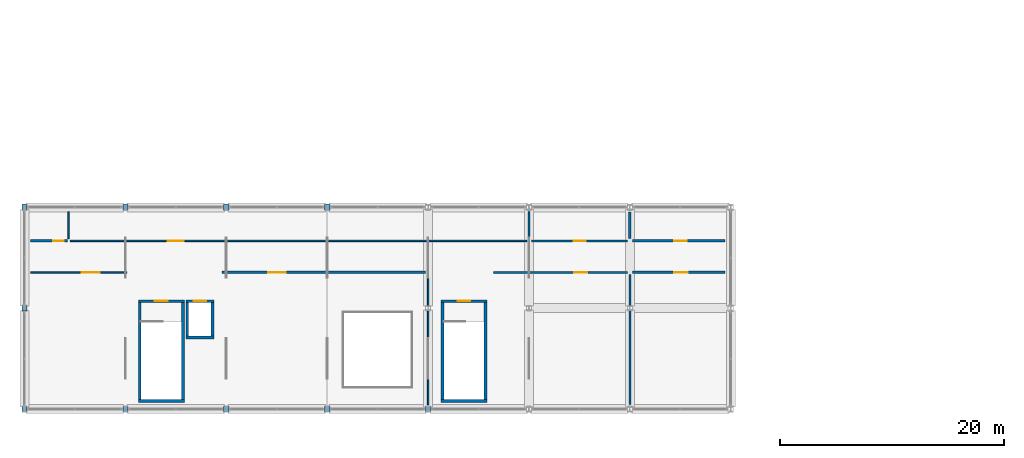
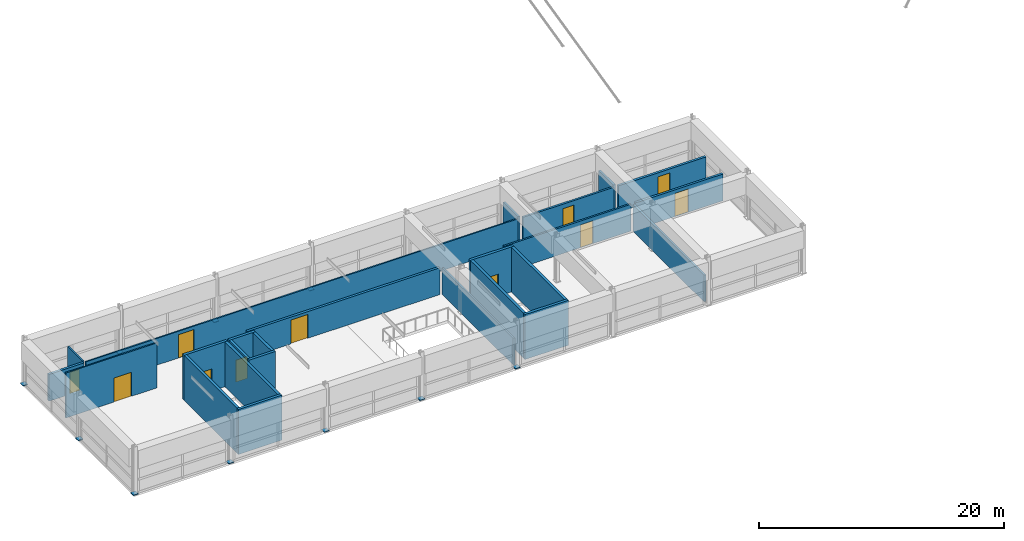
# One storey, part 55 of 56: 25 walls, 11 doors, 10 discrete accessories, 11 openings.
"""IFC4 building model written with IfcOpenShell, lengths in metres."""

from ifc_helpers import new_model, si_unit, direction, frame, frame_2d, origin, origin_2d, place, context, subcontext, project, spatial, rectangle, extrude, material, layer, layer_set, type_object, element, fill, save


model = new_model("IFC4")

# Units and contexts
model_context = context("Model", 3, precision=1e-05, world=origin(), true_north=direction((0.0, 1.0)))
body_context = subcontext(model_context, "Body", "Model", "MODEL_VIEW")
ifc_project = project(units=[si_unit("LENGTHUNIT", "METRE"), si_unit("AREAUNIT", "SQUARE_METRE"), si_unit("VOLUMEUNIT", "CUBIC_METRE"), si_unit("PLANEANGLEUNIT", "RADIAN"), si_unit("MASSUNIT", "GRAM", prefix="KILO")], contexts=[model_context])

# Site, building, storey
site_placement = place(None, origin())
site = spatial("IfcSite", under=ifc_project, at=site_placement, CompositionType="ELEMENT")
building_placement = place(site_placement, origin())
building = spatial("IfcBuilding", under=site, at=building_placement, Name="Bozkorgan Art Gallery", CompositionType="ELEMENT")
storey_placement = place(building_placement, frame((0.0, 0.0, 24.0)))
storey = spatial("IfcBuildingStorey", under=building, at=storey_placement, Name="L05", CompositionType="ELEMENT", Elevation=24.0)

# Wall, opening, door
ifc_material_1 = material(Name="Concrete C40/50", Category="concrete")
ifc_layer_1 = layer(ifc_material_1, 0.25, Name="Concrete C40/50")
ifc_layer_set_1 = layer_set([ifc_layer_1], Name="Concrete C40/50")
wall_type_1 = type_object("IfcWallType", Name="IWALL-CW-51", PredefinedType="SHEAR", material=ifc_layer_set_1)
wall_1_placement = place(storey_placement, frame((12.14990234375, 11.625, 0.0), z_axis=(0.0, 0.0, 1.0), x_axis=(1.0, 0.0, 0.0)))
wall_1 = element("IfcWall", 1, at=wall_1_placement, inside=storey, type_object=wall_type_1, Name="CORE1 L05 stair core north shear wall", PredefinedType="SHEAR", context=body_context, shape_type="SweptSolid", body=[
    extrude(rectangle(XDim=4.10009765625, YDim=0.25, at=frame_2d((2.050048828125, 0.0))), origin(), (0.0, 0.0, 1.0), 4.47998046875),
])
opening_1_placement = place(wall_1_placement, frame((2.625, 0.0, 0.0), z_axis=(0.0, 0.0, 1.0), x_axis=(-1.0, 0.0, 0.0)))
opening_1 = element("IfcOpeningElement", 2, at=opening_1_placement, cuts=wall_1, Name="Opening SD-41", PredefinedType="OPENING", context=body_context, shape_type="SweptSolid", body=[
    extrude(rectangle(XDim=1.14990234375, YDim=2.199951171875, at=frame_2d((0.574951171875, 1.10009765625))), frame((0.0, 0.135009765625, 0.0), z_axis=(0.0, -1.0, 0.0), x_axis=(1.0, 0.0, 0.0)), (0.0, 0.0, 1.0), 0.27001953125),
])
ifc_material_2 = material(Name="Steel S355J2", Category="steel")
door_type_1 = type_object("IfcDoorType", Name="IDOOR-SD-41", OperationType="NOTDEFINED", PredefinedType="DOOR", material=ifc_material_2)
door_1_placement = place(opening_1_placement, origin())
door_1 = element("IfcDoor", 3, at=door_1_placement, inside=storey, type_object=door_type_1, Name="ST1 L05 Fire Stair Door", OperationType="SINGLE_SWING_RIGHT", OverallHeight=2.199951171875, OverallWidth=1.14990234375, PredefinedType="DOOR", context=body_context, shape_type="SweptSolid", body=[
    extrude(rectangle(XDim=1.14990234375, YDim=2.199951171875, at=frame_2d((0.574951171875, 1.10009765625))), frame((0.0, 0.02490234375, 0.0), z_axis=(0.0, -1.0, 0.0), x_axis=(1.0, 0.0, 0.0)), (0.0, 0.0, 1.0), 0.050048828125),
])
fill(opening_1, door_1)

# Walls
wall_2_placement = place(storey_placement, frame((12.14990234375, 2.72509765625, 0.0), z_axis=(0.0, 0.0, 1.0), x_axis=(1.0, 0.0, 0.0)))
element("IfcWall", 4, at=wall_2_placement, inside=storey, type_object=wall_type_1, Name="CORE1 L05 stair core S shear wall", PredefinedType="SHEAR", context=body_context, shape_type="SweptSolid", body=[
    extrude(rectangle(XDim=4.10009765625, YDim=0.25, at=frame_2d((2.050048828125, 0.0))), origin(), (0.0, 0.0, 1.0), 4.47998046875),
])
for number, where, z_axis, x_axis, name in (
    (5, (12.27490234375, 2.85009765625, 0.0), (0.0, 0.0, 1.0), (0.0, 1.0, 0.0), "CORE1 L05 stair core W shear wall"),
    (6, (16.125, 2.85009765625, 0.0), (0.0, 0.0, 1.0), (0.0, 1.0, 0.0), "CORE1 L05 stair core E shear wall"),
):
    element("IfcWall", number, at=place(storey_placement, frame(where, z_axis=z_axis, x_axis=x_axis)), inside=storey, type_object=wall_type_1, Name=name, PredefinedType="SHEAR", context=body_context, shape_type="SweptSolid", body=[
        extrude(rectangle(XDim=8.64990234375, YDim=0.25, at=frame_2d((4.324951171875, 0.0))), origin(), (0.0, 0.0, 1.0), 4.47998046875),
    ])

# Wall, opening, door
wall_3_placement = place(storey_placement, frame((16.39990234375, 11.625, 0.0), z_axis=(0.0, 0.0, 1.0), x_axis=(1.0, 0.0, 0.0)))
wall_3 = element("IfcWall", 7, at=wall_3_placement, inside=storey, type_object=wall_type_1, Name="PL1 L05 shaft front shear wall", PredefinedType="SHEAR", context=body_context, shape_type="SweptSolid", body=[
    extrude(rectangle(XDim=2.5, YDim=0.25, at=frame_2d((1.25, 0.0))), origin(), (0.0, 0.0, 1.0), 4.47998046875),
])
opening_2_placement = place(wall_3_placement, frame((0.699951171875, 0.0, 0.0)))
opening_2 = element("IfcOpeningElement", 8, at=opening_2_placement, cuts=wall_3, Name="Opening LD-25", PredefinedType="OPENING", context=body_context, shape_type="SweptSolid", body=[
    extrude(rectangle(XDim=1.10009765625, YDim=2.199951171875, at=frame_2d((0.550048828125, 1.10009765625))), frame((0.0, 0.135009765625, 0.0), z_axis=(0.0, -1.0, 0.0), x_axis=(1.0, 0.0, 0.0)), (0.0, 0.0, 1.0), 0.27001953125),
])
door_type_2 = type_object("IfcDoorType", Name="IDOOR-LD-25", OperationType="NOTDEFINED", PredefinedType="DOOR", material=ifc_material_2)
door_2_placement = place(opening_2_placement, origin())
door_2 = element("IfcDoor", 9, at=door_2_placement, inside=storey, type_object=door_type_2, Name="LD-PL1-L05 Lift Landing Door", OperationType="SLIDING_TO_LEFT", OverallHeight=2.199951171875, OverallWidth=1.10009765625, PredefinedType="DOOR", context=body_context, shape_type="SweptSolid", body=[
    extrude(rectangle(XDim=1.10009765625, YDim=2.199951171875, at=frame_2d((0.550048828125, 1.10009765625))), frame((0.0, 0.02490234375, 0.0), z_axis=(0.0, -1.0, 0.0), x_axis=(1.0, 0.0, 0.0)), (0.0, 0.0, 1.0), 0.050048828125),
])
fill(opening_2, door_2)

# Walls
wall_4_placement = place(storey_placement, frame((16.39990234375, 8.375, 0.0), z_axis=(0.0, 0.0, 1.0), x_axis=(1.0, 0.0, 0.0)))
element("IfcWall", 10, at=wall_4_placement, inside=storey, type_object=wall_type_1, Name="PL1 L05 shaft S shear wall", PredefinedType="SHEAR", context=body_context, shape_type="SweptSolid", body=[
    extrude(rectangle(XDim=2.5, YDim=0.25, at=frame_2d((1.25, 0.0))), origin(), (0.0, 0.0, 1.0), 4.47998046875),
])
for number, where, z_axis, x_axis, name in (
    (11, (18.77490234375, 8.5, 0.0), (0.0, 0.0, 1.0), (0.0, 1.0, 0.0), "PL1 L05 shaft E shear wall"),
    (12, (16.52490234375, 8.5, 0.0), (0.0, 0.0, 1.0), (0.0, 1.0, 0.0), "PL1 L05 shaft W shear wall"),
):
    element("IfcWall", number, at=place(storey_placement, frame(where, z_axis=z_axis, x_axis=x_axis)), inside=storey, type_object=wall_type_1, Name=name, PredefinedType="SHEAR", context=body_context, shape_type="SweptSolid", body=[
        extrude(rectangle(XDim=3.0, YDim=0.25, at=frame_2d((1.5, 0.0))), origin(), (0.0, 0.0, 1.0), 4.47998046875),
    ])

# Wall, opening, door
wall_5_placement = place(storey_placement, frame((39.14990234375, 11.625, 0.0), z_axis=(0.0, 0.0, 1.0), x_axis=(1.0, 0.0, 0.0)))
wall_5 = element("IfcWall", 13, at=wall_5_placement, inside=storey, type_object=wall_type_1, Name="CORE7 L05 stair core north shear wall", PredefinedType="SHEAR", context=body_context, shape_type="SweptSolid", body=[
    extrude(rectangle(XDim=4.10009765625, YDim=0.25, at=frame_2d((2.050048828125, 0.0))), origin(), (0.0, 0.0, 1.0), 4.47998046875),
])
opening_3_placement = place(wall_5_placement, frame((2.625, 0.0, 0.0), z_axis=(0.0, 0.0, 1.0), x_axis=(-1.0, 0.0, 0.0)))
opening_3 = element("IfcOpeningElement", 14, at=opening_3_placement, cuts=wall_5, Name="Opening SD-41", PredefinedType="OPENING", context=body_context, shape_type="SweptSolid", body=[
    extrude(rectangle(XDim=1.14990234375, YDim=2.199951171875, at=frame_2d((0.574951171875, 1.10009765625))), frame((0.0, 0.135009765625, 0.0), z_axis=(0.0, -1.0, 0.0), x_axis=(1.0, 0.0, 0.0)), (0.0, 0.0, 1.0), 0.27001953125),
])
door_3_placement = place(opening_3_placement, origin())
door_3 = element("IfcDoor", 15, at=door_3_placement, inside=storey, type_object=door_type_1, Name="ST12 L05 Fire Stair Door", OperationType="SINGLE_SWING_RIGHT", OverallHeight=2.199951171875, OverallWidth=1.14990234375, PredefinedType="DOOR", context=body_context, shape_type="SweptSolid", body=[
    extrude(rectangle(XDim=1.14990234375, YDim=2.199951171875, at=frame_2d((0.574951171875, 1.10009765625))), frame((0.0, 0.02490234375, 0.0), z_axis=(0.0, -1.0, 0.0), x_axis=(1.0, 0.0, 0.0)), (0.0, 0.0, 1.0), 0.050048828125),
])
fill(opening_3, door_3)

# Walls
wall_6_placement = place(storey_placement, frame((39.14990234375, 2.72509765625, 0.0), z_axis=(0.0, 0.0, 1.0), x_axis=(1.0, 0.0, 0.0)))
element("IfcWall", 16, at=wall_6_placement, inside=storey, type_object=wall_type_1, Name="CORE7 L05 stair core S shear wall", PredefinedType="SHEAR", context=body_context, shape_type="SweptSolid", body=[
    extrude(rectangle(XDim=4.10009765625, YDim=0.25, at=frame_2d((2.050048828125, 0.0))), origin(), (0.0, 0.0, 1.0), 4.47998046875),
])
for number, where, z_axis, x_axis, name in (
    (17, (39.27490234375, 2.85009765625, 0.0), (0.0, 0.0, 1.0), (0.0, 1.0, 0.0), "CORE7 L05 stair core W shear wall"),
    (18, (43.125, 2.85009765625, 0.0), (0.0, 0.0, 1.0), (0.0, 1.0, 0.0), "CORE7 L05 stair core E shear wall"),
):
    element("IfcWall", number, at=place(storey_placement, frame(where, z_axis=z_axis, x_axis=x_axis)), inside=storey, type_object=wall_type_1, Name=name, PredefinedType="SHEAR", context=body_context, shape_type="SweptSolid", body=[
        extrude(rectangle(XDim=8.64990234375, YDim=0.25, at=frame_2d((4.324951171875, 0.0))), origin(), (0.0, 0.0, 1.0), 4.47998046875),
    ])

# Wall, opening, door
ifc_material_3 = material(Name="Acoustic Gypsum & Mineral Wool Partition")
ifc_layer_2 = layer(ifc_material_3, 0.22998046875, Name="Acoustic Gypsum & Mineral Wool Partition")
ifc_layer_set_2 = layer_set([ifc_layer_2], Name="Acoustic Gypsum & Mineral Wool Partition")
wall_type_2 = type_object("IfcWallType", Name="IWALL-PR-08", PredefinedType="PARTITIONING", material=ifc_layer_set_2)
wall_7_placement = place(storey_placement, frame((19.6201171875, 14.199951171875, 0.0), z_axis=(0.0, 0.0, 1.0), x_axis=(1.0, 0.0, 0.0)))
wall_7 = element("IfcWall", 19, at=wall_7_placement, inside=storey, type_object=wall_type_2, Name="V1 L05 acoustic partition wall 113", PredefinedType="PARTITIONING", context=body_context, shape_type="SweptSolid", body=[
    extrude(rectangle(XDim=18.159912109375, YDim=0.22998046875, at=frame_2d((9.080078125, 0.0))), origin(), (0.0, 0.0, 1.0), 2.6650390625),
])
opening_4_placement = place(wall_7_placement, frame((4.1142578125, 0.0, 0.0)))
opening_4 = element("IfcOpeningElement", 20, at=opening_4_placement, cuts=wall_7, Name="Opening GD-25", PredefinedType="OPENING", context=body_context, shape_type="SweptSolid", body=[
    extrude(rectangle(XDim=1.580078125, YDim=2.3798828125, at=frame_2d((0.7900390625, 1.18994140625))), frame((0.0, 0.125, 0.0), z_axis=(0.0, -1.0, 0.0), x_axis=(1.0, 0.0, 0.0)), (0.0, 0.0, 1.0), 0.25),
])
ifc_material_4 = material(Name="Oiled European Oak Joinery")
door_type_3 = type_object("IfcDoorType", Name="IDOOR-GD-25", OperationType="NOTDEFINED", PredefinedType="DOOR", material=ifc_material_4)
door_4_placement = place(opening_4_placement, origin())
door_4 = element("IfcDoor", 21, at=door_4_placement, inside=storey, type_object=door_type_3, Name="Top-Lit Gallery Hall Door", OperationType="DOUBLE_DOOR_SINGLE_SWING", OverallHeight=2.3798828125, OverallWidth=1.580078125, PredefinedType="DOOR", context=body_context, shape_type="SweptSolid", body=[
    extrude(rectangle(XDim=1.580078125, YDim=2.3798828125, at=frame_2d((0.7900390625, 1.18994140625))), frame((0.0, 0.02490234375, 0.0), z_axis=(0.0, -1.0, 0.0), x_axis=(1.0, 0.0, 0.0)), (0.0, 0.0, 1.0), 0.050048828125),
])
fill(opening_4, door_4)

wall_8_placement = place(storey_placement, frame((2.5400390625, 17.0, 0.0), z_axis=(0.0, 0.0, 1.0), x_axis=(1.0, 0.0, 0.0)))
wall_8 = element("IfcWall", 22, at=wall_8_placement, inside=storey, type_object=wall_type_2, Name="V1 L05 acoustic partition wall 119", PredefinedType="PARTITIONING", context=body_context, shape_type="SweptSolid", body=[
    extrude(rectangle(XDim=3.280029296875, YDim=0.22998046875, at=frame_2d((1.64013671875, 0.0))), origin(), (0.0, 0.0, 1.0), 2.6650390625),
])
opening_5_placement = place(wall_8_placement, frame((2.949951171875, 0.0, 0.0), z_axis=(0.0, 0.0, 1.0), x_axis=(-1.0, 0.0, 0.0)))
opening_5 = element("IfcOpeningElement", 23, at=opening_5_placement, cuts=wall_8, Name="Opening FD-12", PredefinedType="OPENING", context=body_context, shape_type="SweptSolid", body=[
    extrude(rectangle(XDim=0.919921875, YDim=2.1201171875, at=frame_2d((0.4599609375, 1.06005859375))), frame((0.0, 0.125, 0.0), z_axis=(0.0, -1.0, 0.0), x_axis=(1.0, 0.0, 0.0)), (0.0, 0.0, 1.0), 0.25),
])
door_type_4 = type_object("IfcDoorType", Name="IDOOR-FD-12", OperationType="NOTDEFINED", PredefinedType="DOOR", material=ifc_material_4)
door_5_placement = place(opening_5_placement, origin())
door_5 = element("IfcDoor", 24, at=door_5_placement, inside=storey, type_object=door_type_4, Name="Accessible WC Door", OperationType="SINGLE_SWING_RIGHT", OverallHeight=2.1201171875, OverallWidth=0.919921875, PredefinedType="DOOR", context=body_context, shape_type="SweptSolid", body=[
    extrude(rectangle(XDim=0.919921875, YDim=2.1201171875, at=frame_2d((0.4599609375, 1.06005859375))), frame((0.0, 0.02490234375, 0.0), z_axis=(0.0, -1.0, 0.0), x_axis=(1.0, 0.0, 0.0)), (0.0, 0.0, 1.0), 0.050048828125),
])
fill(opening_5, door_5)

wall_9_placement = place(storey_placement, frame((56.219970703125, 17.0, 0.0), z_axis=(0.0, 0.0, 1.0), x_axis=(1.0, 0.0, 0.0)))
wall_9 = element("IfcWall", 25, at=wall_9_placement, inside=storey, type_object=wall_type_2, Name="V1 L05 acoustic partition wall 125", PredefinedType="PARTITIONING", context=body_context, shape_type="SweptSolid", body=[
    extrude(rectangle(XDim=8.239990234375, YDim=0.22998046875, at=frame_2d((4.1201171875, 0.0))), origin(), (0.0, 0.0, 1.0), 2.6650390625),
])
opening_6_placement = place(wall_9_placement, frame((4.8408203125, 0.0, 0.0), z_axis=(0.0, 0.0, 1.0), x_axis=(-1.0, 0.0, 0.0)))
opening_6 = element("IfcOpeningElement", 26, at=opening_6_placement, cuts=wall_9, Name="Opening FD-89", PredefinedType="OPENING", context=body_context, shape_type="SweptSolid", body=[
    extrude(rectangle(XDim=1.1201171875, YDim=2.260009765625, at=frame_2d((0.56005859375, 1.1298828125))), frame((0.0, 0.125, 0.0), z_axis=(0.0, -1.0, 0.0), x_axis=(1.0, 0.0, 0.0)), (0.0, 0.0, 1.0), 0.25),
])
door_type_5 = type_object("IfcDoorType", Name="IDOOR-FD-89", OperationType="NOTDEFINED", PredefinedType="DOOR", material=ifc_material_4)
door_6_placement = place(opening_6_placement, origin())
door_6 = element("IfcDoor", 27, at=door_6_placement, inside=storey, type_object=door_type_5, Name="Visitor Cloakroom Door", OperationType="SINGLE_SWING_LEFT", OverallHeight=2.260009765625, OverallWidth=1.1201171875, PredefinedType="DOOR", context=body_context, shape_type="SweptSolid", body=[
    extrude(rectangle(XDim=1.1201171875, YDim=2.260009765625, at=frame_2d((0.56005859375, 1.1298828125))), frame((0.0, 0.02490234375, 0.0), z_axis=(0.0, -1.0, 0.0), x_axis=(1.0, 0.0, 0.0)), (0.0, 0.0, 1.0), 0.050048828125),
])
fill(opening_6, door_6)

ifc_layer_3 = layer(ifc_material_3, 0.2099609375, Name="Acoustic Gypsum & Mineral Wool Partition")
ifc_layer_set_3 = layer_set([ifc_layer_3], Name="Acoustic Gypsum & Mineral Wool Partition")
wall_type_3 = type_object("IfcWallType", Name="IWALL-PR-38", PredefinedType="PARTITIONING", material=ifc_layer_set_3)
wall_10_placement = place(storey_placement, frame((56.219970703125, 14.199951171875, 0.0), z_axis=(0.0, 0.0, 1.0), x_axis=(1.0, 0.0, 0.0)))
wall_10 = element("IfcWall", 28, at=wall_10_placement, inside=storey, type_object=wall_type_3, Name="V1 L05 acoustic partition wall 118", PredefinedType="PARTITIONING", context=body_context, shape_type="SweptSolid", body=[
    extrude(rectangle(XDim=8.239990234375, YDim=0.2099609375, at=frame_2d((4.1201171875, 0.0))), origin(), (0.0, 0.0, 1.0), 2.6650390625),
])
opening_7_placement = place(wall_10_placement, frame((3.720703125, 0.0, 0.0)))
opening_7 = element("IfcOpeningElement", 29, at=opening_7_placement, cuts=wall_10, Name="Opening FD-40", PredefinedType="OPENING", context=body_context, shape_type="SweptSolid", body=[
    extrude(rectangle(XDim=1.239990234375, YDim=2.320068359375, at=frame_2d((0.6201171875, 1.16015625))), frame((0.0, 0.114990234375, 0.0), z_axis=(0.0, -1.0, 0.0), x_axis=(1.0, 0.0, 0.0)), (0.0, 0.0, 1.0), 0.22998046875),
])
door_type_6 = type_object("IfcDoorType", Name="IDOOR-FD-40", OperationType="NOTDEFINED", PredefinedType="DOOR", material=ifc_material_4)
door_7_placement = place(opening_7_placement, origin())
door_7 = element("IfcDoor", 30, at=door_7_placement, inside=storey, type_object=door_type_6, Name="Clerestory Louvre Control Room Door", OperationType="SINGLE_SWING_LEFT", OverallHeight=2.320068359375, OverallWidth=1.239990234375, PredefinedType="DOOR", context=body_context, shape_type="SweptSolid", body=[
    extrude(rectangle(XDim=1.239990234375, YDim=2.320068359375, at=frame_2d((0.6201171875, 1.16015625))), frame((0.0, 0.02490234375, 0.0), z_axis=(0.0, -1.0, 0.0), x_axis=(1.0, 0.0, 0.0)), (0.0, 0.0, 1.0), 0.050048828125),
])
fill(opening_7, door_7)

ifc_layer_4 = layer(ifc_material_3, 0.169921875, Name="Acoustic Gypsum & Mineral Wool Partition")
ifc_layer_set_4 = layer_set([ifc_layer_4], Name="Acoustic Gypsum & Mineral Wool Partition")
wall_type_4 = type_object("IfcWallType", Name="IWALL-PR-40", PredefinedType="PARTITIONING", material=ifc_layer_set_4)
wall_11_placement = place(storey_placement, frame((43.820068359375, 14.199951171875, 0.0), z_axis=(0.0, 0.0, 1.0), x_axis=(1.0, 0.0, 0.0)))
wall_11 = element("IfcWall", 31, at=wall_11_placement, inside=storey, type_object=wall_type_4, Name="V1 L05 acoustic partition wall 116", PredefinedType="PARTITIONING", context=body_context, shape_type="SweptSolid", body=[
    extrude(rectangle(XDim=11.9599609375, YDim=0.169921875, at=frame_2d((5.97998046875, 0.0))), origin(), (0.0, 0.0, 1.0), 2.6650390625),
])
opening_8_placement = place(wall_11_placement, frame((7.206787109375, 0.0, 0.0)))
opening_8 = element("IfcOpeningElement", 32, at=opening_8_placement, cuts=wall_11, Name="Opening FD-03", PredefinedType="OPENING", context=body_context, shape_type="SweptSolid", body=[
    extrude(rectangle(XDim=1.159912109375, YDim=2.280029296875, at=frame_2d((0.580078125, 1.14013671875))), frame((0.0, 0.094970703125, 0.0), z_axis=(0.0, -1.0, 0.0), x_axis=(1.0, 0.0, 0.0)), (0.0, 0.0, 1.0), 0.18994140625),
])
door_type_7 = type_object("IfcDoorType", Name="IDOOR-FD-03", OperationType="NOTDEFINED", PredefinedType="DOOR", material=ifc_material_4)
door_8_placement = place(opening_8_placement, origin())
door_8 = element("IfcDoor", 33, at=door_8_placement, inside=storey, type_object=door_type_7, Name="Grand Tapestry Salon Door", OperationType="SINGLE_SWING_RIGHT", OverallHeight=2.280029296875, OverallWidth=1.159912109375, PredefinedType="DOOR", context=body_context, shape_type="SweptSolid", body=[
    extrude(rectangle(XDim=1.159912109375, YDim=2.280029296875, at=frame_2d((0.580078125, 1.14013671875))), frame((0.0, 0.02490234375, 0.0), z_axis=(0.0, -1.0, 0.0), x_axis=(1.0, 0.0, 0.0)), (0.0, 0.0, 1.0), 0.050048828125),
])
fill(opening_8, door_8)

ifc_layer_5 = layer(ifc_material_3, 0.18994140625, Name="Acoustic Gypsum & Mineral Wool Partition")
ifc_layer_set_5 = layer_set([ifc_layer_5], Name="Acoustic Gypsum & Mineral Wool Partition")
wall_type_5 = type_object("IfcWallType", Name="IWALL-PR-66", PredefinedType="PARTITIONING", material=ifc_layer_set_5)
wall_12_placement = place(storey_placement, frame((47.219970703125, 17.0, 0.0), z_axis=(0.0, 0.0, 1.0), x_axis=(1.0, 0.0, 0.0)))
wall_12 = element("IfcWall", 34, at=wall_12_placement, inside=storey, type_object=wall_type_5, Name="V1 L05 acoustic partition wall 123", PredefinedType="PARTITIONING", context=body_context, shape_type="SweptSolid", body=[
    extrude(rectangle(XDim=8.56005859375, YDim=0.18994140625, at=frame_2d((4.280029296875, 0.0))), origin(), (0.0, 0.0, 1.0), 2.6650390625),
])
opening_9_placement = place(wall_12_placement, frame((4.820068359375, 0.0, 0.0), z_axis=(0.0, 0.0, 1.0), x_axis=(-1.0, 0.0, 0.0)))
opening_9 = element("IfcOpeningElement", 35, at=opening_9_placement, cuts=wall_12, Name="Opening FD-96", PredefinedType="OPENING", context=body_context, shape_type="SweptSolid", body=[
    extrude(rectangle(XDim=1.0400390625, YDim=2.219970703125, at=frame_2d((0.52001953125, 1.10986328125))), frame((0.0, 0.10498046875, 0.0), z_axis=(0.0, -1.0, 0.0), x_axis=(1.0, 0.0, 0.0)), (0.0, 0.0, 1.0), 0.2099609375),
])
door_type_8 = type_object("IfcDoorType", Name="IDOOR-FD-96", OperationType="NOTDEFINED", PredefinedType="DOOR", material=ifc_material_4)
door_9_placement = place(opening_9_placement, origin())
door_9 = element("IfcDoor", 36, at=door_9_placement, inside=storey, type_object=door_type_8, Name="Exhibition Catalogue Salon Door", OperationType="SINGLE_SWING_RIGHT", OverallHeight=2.219970703125, OverallWidth=1.0400390625, PredefinedType="DOOR", context=body_context, shape_type="SweptSolid", body=[
    extrude(rectangle(XDim=1.0400390625, YDim=2.219970703125, at=frame_2d((0.52001953125, 1.10986328125))), frame((0.0, 0.02490234375, 0.0), z_axis=(0.0, -1.0, 0.0), x_axis=(1.0, 0.0, 0.0)), (0.0, 0.0, 1.0), 0.050048828125),
])
fill(opening_9, door_9)

ifc_layer_6 = layer(ifc_material_3, 0.1298828125, Name="Acoustic Gypsum & Mineral Wool Partition")
ifc_layer_set_6 = layer_set([ifc_layer_6], Name="Acoustic Gypsum & Mineral Wool Partition")
wall_type_6 = type_object("IfcWallType", Name="IWALL-PR-76", PredefinedType="PARTITIONING", material=ifc_layer_set_6)
wall_13_placement = place(storey_placement, frame((2.5400390625, 14.199951171875, 0.0), z_axis=(0.0, 0.0, 1.0), x_axis=(1.0, 0.0, 0.0)))
wall_13 = element("IfcWall", 37, at=wall_13_placement, inside=storey, type_object=wall_type_6, Name="V1 L05 acoustic partition wall 114", PredefinedType="PARTITIONING", context=body_context, shape_type="SweptSolid", body=[
    extrude(rectangle(XDim=8.58984375, YDim=0.1298828125, at=frame_2d((4.294921875, 0.0))), origin(), (0.0, 0.0, 1.0), 4.47998046875),
])
opening_10_placement = place(wall_13_placement, frame((4.55908203125, 0.0, 0.0)))
opening_10 = element("IfcOpeningElement", 38, at=opening_10_placement, cuts=wall_13, Name="Opening GD-81", PredefinedType="OPENING", context=body_context, shape_type="SweptSolid", body=[
    extrude(rectangle(XDim=1.6201171875, YDim=2.39990234375, at=frame_2d((0.81005859375, 1.199951171875))), frame((0.0, 0.074951171875, 0.0), z_axis=(0.0, -1.0, 0.0), x_axis=(1.0, 0.0, 0.0)), (0.0, 0.0, 1.0), 0.14990234375),
])
door_type_9 = type_object("IfcDoorType", Name="IDOOR-GD-81", OperationType="NOTDEFINED", PredefinedType="DOOR", material=ifc_material_4)
door_10_placement = place(opening_10_placement, origin())
door_10 = element("IfcDoor", 39, at=door_10_placement, inside=storey, type_object=door_type_9, Name="North Clerestory Painting Gallery Door", OperationType="DOUBLE_DOOR_SINGLE_SWING", OverallHeight=2.39990234375, OverallWidth=1.6201171875, PredefinedType="DOOR", context=body_context, shape_type="SweptSolid", body=[
    extrude(rectangle(XDim=1.6201171875, YDim=2.39990234375, at=frame_2d((0.81005859375, 1.199951171875))), frame((0.0, 0.02490234375, 0.0), z_axis=(0.0, -1.0, 0.0), x_axis=(1.0, 0.0, 0.0)), (0.0, 0.0, 1.0), 0.050048828125),
])
fill(opening_10, door_10)

wall_14_placement = place(storey_placement, frame((6.06005859375, 17.0, 0.0), z_axis=(0.0, 0.0, 1.0), x_axis=(1.0, 0.0, 0.0)))
wall_14 = element("IfcWall", 40, at=wall_14_placement, inside=storey, type_object=wall_type_6, Name="V1 L05 acoustic partition wall 120", PredefinedType="PARTITIONING", context=body_context, shape_type="SweptSolid", body=[
    extrude(rectangle(XDim=40.719970703125, YDim=0.1298828125, at=frame_2d((20.35986328125, 0.0))), origin(), (0.0, 0.0, 1.0), 2.6650390625),
])
opening_11_placement = place(wall_14_placement, frame((10.164306640625, 0.0, 0.0), z_axis=(0.0, 0.0, 1.0), x_axis=(-1.0, 0.0, 0.0)))
opening_11 = element("IfcOpeningElement", 41, at=opening_11_placement, cuts=wall_14, Name="Opening GD-47", PredefinedType="OPENING", context=body_context, shape_type="SweptSolid", body=[
    extrude(rectangle(XDim=1.4599609375, YDim=2.320068359375, at=frame_2d((0.72998046875, 1.16015625))), frame((0.0, 0.074951171875, 0.0), z_axis=(0.0, -1.0, 0.0), x_axis=(1.0, 0.0, 0.0)), (0.0, 0.0, 1.0), 0.14990234375),
])
door_type_10 = type_object("IfcDoorType", Name="IDOOR-GD-47", OperationType="NOTDEFINED", PredefinedType="DOOR", material=ifc_material_4)
door_11_placement = place(opening_11_placement, origin())
door_11 = element("IfcDoor", 42, at=door_11_placement, inside=storey, type_object=door_type_10, Name="Curatorial Study Gallery Door", OperationType="DOUBLE_DOOR_SINGLE_SWING", OverallHeight=2.320068359375, OverallWidth=1.4599609375, PredefinedType="DOOR", context=body_context, shape_type="SweptSolid", body=[
    extrude(rectangle(XDim=1.4599609375, YDim=2.320068359375, at=frame_2d((0.72998046875, 1.16015625))), frame((0.0, 0.02490234375, 0.0), z_axis=(0.0, -1.0, 0.0), x_axis=(1.0, 0.0, 0.0)), (0.0, 0.0, 1.0), 0.050048828125),
])
fill(opening_11, door_11)

# Walls
ifc_layer_7 = layer(ifc_material_3, 0.169921875, Name="Acoustic Gypsum & Mineral Wool Partition")
ifc_layer_set_7 = layer_set([ifc_layer_7], Name="Acoustic Gypsum & Mineral Wool Partition")
wall_type_7 = type_object("IfcWallType", Name="IWALL-PW-02", PredefinedType="PARTITIONING", material=ifc_layer_set_7)
wall_15_placement = place(storey_placement, frame((47.0, 17.199951171875, 0.0), z_axis=(0.0, 0.0, 1.0), x_axis=(0.0, 1.0, 0.0)))
element("IfcWall", 43, at=wall_15_placement, inside=storey, type_object=wall_type_7, Name="V1 L05 acoustic partition wall 122", PredefinedType="PARTITIONING", context=body_context, shape_type="SweptSolid", body=[
    extrude(rectangle(XDim=2.400146484375, YDim=0.169921875, at=frame_2d((1.2001953125, 0.0))), origin(), (0.0, 0.0, 1.0), 2.6650390625),
])
ifc_layer_8 = layer(ifc_material_3, 0.14990234375, Name="Acoustic Gypsum & Mineral Wool Partition")
ifc_layer_set_8 = layer_set([ifc_layer_8], Name="Acoustic Gypsum & Mineral Wool Partition")
wall_type_8 = type_object("IfcWallType", Name="IWALL-PW-17", PredefinedType="PARTITIONING", material=ifc_layer_set_8)
wall_16_placement = place(storey_placement, frame((38.0, 2.39990234375, 0.0), z_axis=(0.0, 0.0, 1.0), x_axis=(0.0, 1.0, 0.0)))
element("IfcWall", 44, at=wall_16_placement, inside=storey, type_object=wall_type_8, Name="V1 L05 acoustic partition wall 115", PredefinedType="PARTITIONING", context=body_context, shape_type="SweptSolid", body=[
    extrude(rectangle(XDim=11.60009765625, YDim=0.14990234375, at=frame_2d((5.800048828125, 0.0))), origin(), (0.0, 0.0, 1.0), 2.6650390625),
])
wall_17_placement = place(storey_placement, frame((5.93994140625, 17.199951171875, 0.0), z_axis=(0.0, 0.0, 1.0), x_axis=(0.0, 1.0, 0.0)))
element("IfcWall", 45, at=wall_17_placement, inside=storey, type_object=wall_type_8, Name="V1 L05 acoustic partition wall 121", PredefinedType="PARTITIONING", context=body_context, shape_type="SweptSolid", body=[
    extrude(rectangle(XDim=2.400146484375, YDim=0.14990234375, at=frame_2d((1.2001953125, 0.0))), origin(), (0.0, 0.0, 1.0), 2.6650390625),
])
ifc_layer_9 = layer(ifc_material_3, 0.18994140625, Name="Acoustic Gypsum & Mineral Wool Partition")
ifc_layer_set_9 = layer_set([ifc_layer_9], Name="Acoustic Gypsum & Mineral Wool Partition")
wall_type_9 = type_object("IfcWallType", Name="IWALL-PW-23", PredefinedType="PARTITIONING", material=ifc_layer_set_9)
wall_18_placement = place(storey_placement, frame((56.0, 2.39990234375, 0.0), z_axis=(0.0, 0.0, 1.0), x_axis=(0.0, 1.0, 0.0)))
element("IfcWall", 46, at=wall_18_placement, inside=storey, type_object=wall_type_9, Name="V1 L05 acoustic partition wall 117", PredefinedType="PARTITIONING", context=body_context, shape_type="SweptSolid", body=[
    extrude(rectangle(XDim=11.60009765625, YDim=0.18994140625, at=frame_2d((5.800048828125, 0.0))), origin(), (0.0, 0.0, 1.0), 2.6650390625),
])
ifc_layer_10 = layer(ifc_material_3, 0.2099609375, Name="Acoustic Gypsum & Mineral Wool Partition")
ifc_layer_set_10 = layer_set([ifc_layer_10], Name="Acoustic Gypsum & Mineral Wool Partition")
wall_type_10 = type_object("IfcWallType", Name="IWALL-PW-72", PredefinedType="PARTITIONING", material=ifc_layer_set_10)
wall_19_placement = place(storey_placement, frame((56.0, 17.199951171875, 0.0), z_axis=(0.0, 0.0, 1.0), x_axis=(0.0, 1.0, 0.0)))
element("IfcWall", 47, at=wall_19_placement, inside=storey, type_object=wall_type_10, Name="V1 L05 acoustic partition wall 124", PredefinedType="PARTITIONING", context=body_context, shape_type="SweptSolid", body=[
    extrude(rectangle(XDim=2.400146484375, YDim=0.2099609375, at=frame_2d((1.2001953125, 0.0))), origin(), (0.0, 0.0, 1.0), 2.6650390625),
])

# Discrete accessories
discrete_accessory_type = type_object("IfcDiscreteAccessoryType", Name="ACC-SHOE-01", PredefinedType="SHOE", material=ifc_material_2)
for number, where, z_axis, x_axis, name in (
    (48, (2.0, 2.0, 0.0), (0.0, 0.0, 1.0), (1.0, 0.0, 0.0), "L05 steel column anchorage shoe 1"),
    (49, (2.0, 11.0, 0.0), (0.0, 0.0, 1.0), (1.0, 0.0, 0.0), "L05 steel column anchorage shoe 2"),
    (50, (2.0, 20.0, 0.0), (0.0, 0.0, 1.0), (1.0, 0.0, 0.0), "L05 steel column anchorage shoe 3"),
    (51, (11.0, 2.0, 0.0), (0.0, 0.0, 1.0), (1.0, 0.0, 0.0), "L05 steel column anchorage shoe 4"),
    (52, (11.0, 20.0, 0.0), (0.0, 0.0, 1.0), (1.0, 0.0, 0.0), "L05 steel column anchorage shoe 5"),
    (53, (20.0, 2.0, 0.0), (0.0, 0.0, 1.0), (1.0, 0.0, 0.0), "L05 steel column anchorage shoe 6"),
    (54, (20.0, 20.0, 0.0), (0.0, 0.0, 1.0), (1.0, 0.0, 0.0), "L05 steel column anchorage shoe 7"),
    (55, (29.0, 2.0, 0.0), (0.0, 0.0, 1.0), (1.0, 0.0, 0.0), "L05 steel column anchorage shoe 8"),
    (56, (29.0, 20.0, 0.0), (0.0, 0.0, 1.0), (1.0, 0.0, 0.0), "L05 steel column anchorage shoe 9"),
    (57, (38.0, 2.0, 0.0), (0.0, 0.0, 1.0), (1.0, 0.0, 0.0), "L05 steel column anchorage shoe 10"),
):
    element("IfcDiscreteAccessory", number, at=place(storey_placement, frame(where, z_axis=z_axis, x_axis=x_axis)), inside=storey, type_object=discrete_accessory_type, Name=name, PredefinedType="SHOE", context=body_context, shape_type="SweptSolid", body=[
        extrude(rectangle(XDim=0.4599609375, YDim=0.4599609375, at=origin_2d()), origin(), (0.0, 0.0, 1.0), 0.080078125),
    ])

save(model, "model.ifc")
